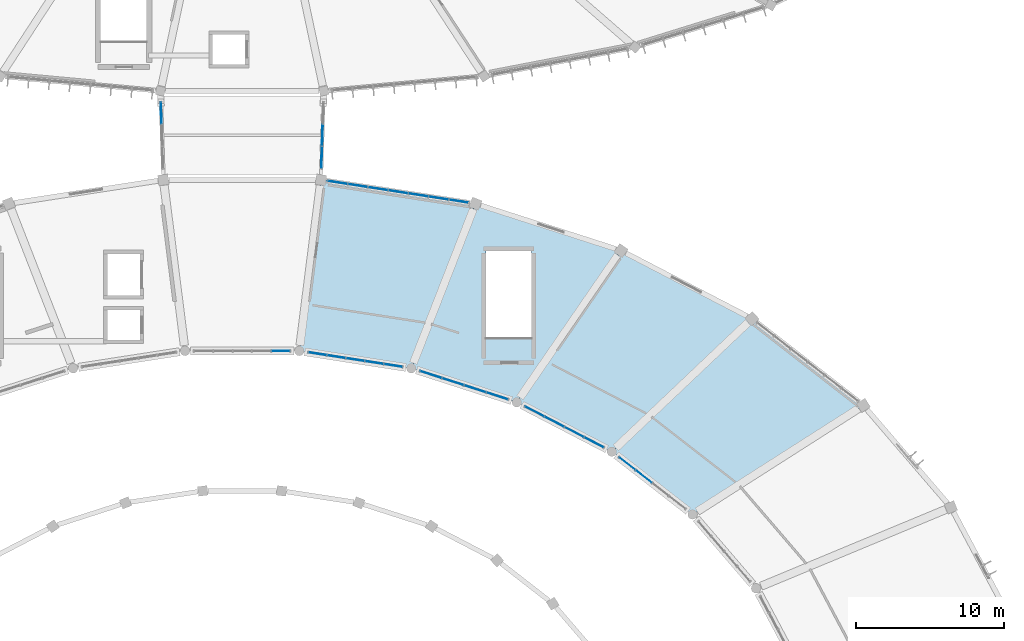
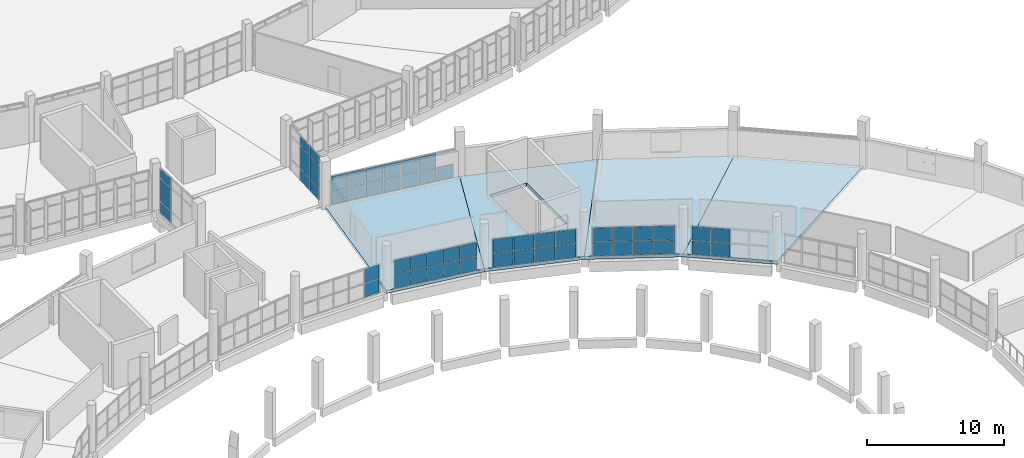
# One storey, part 82 of 142: 54 plates, 4 slabs, 8 elements without a shape of their own.
"""IFC4 building model written with IfcOpenShell, lengths in metres."""

from ifc_helpers import new_model, si_unit, direction, frame, origin, origin_2d, place, context, subcontext, project, spatial, polyline, rectangle, outline, extrude, material, layer, layer_set, type_object, element, aggregate, save


model = new_model("IFC4")

# Units and contexts
model_context = context("Model", 3, precision=1e-05, world=origin(), true_north=direction((0.0, 1.0)))
body_context = subcontext(model_context, "Body", "Model", "MODEL_VIEW")
ifc_project = project(units=[si_unit("LENGTHUNIT", "METRE"), si_unit("AREAUNIT", "SQUARE_METRE"), si_unit("VOLUMEUNIT", "CUBIC_METRE"), si_unit("PLANEANGLEUNIT", "RADIAN"), si_unit("MASSUNIT", "GRAM", prefix="KILO")], contexts=[model_context])

# Site, building, storey
site_placement = place(None, origin())
site = spatial("IfcSite", under=ifc_project, at=site_placement, CompositionType="ELEMENT")
building_placement = place(site_placement, origin())
building = spatial("IfcBuilding", under=site, at=building_placement, Name="Corvandel Quay Wholesale Market", CompositionType="ELEMENT")
storey_placement = place(building_placement, frame((0.0, 0.0, 10.800048828125)))
storey = spatial("IfcBuildingStorey", under=building, at=storey_placement, Name="L02", CompositionType="ELEMENT", Elevation=10.800048828125)

# Curtain wall, plate
ifc_material_1 = material(Name="Bronze anodised aluminium and low-E insulated glazing", Category="aluminium")
ifc_layer_1 = layer(ifc_material_1, 0.18603515625)
ifc_layer_set_1 = layer_set([ifc_layer_1], Name="Bronze anodised aluminium and low-E insulated glazing")
curtain_wall_type_1 = type_object("IfcCurtainWallType", Name="Stick Curtain Wall System CW23 H5070", PredefinedType="NOTDEFINED", material=ifc_layer_set_1)
curtain_wall_1_placement = place(storey_placement, origin())
curtain_wall_1 = element("IfcCurtainWall", 1, at=curtain_wall_1_placement, inside=storey, type_object=curtain_wall_type_1, Name="Curtain Wall CW-0170", PredefinedType="NOTDEFINED")
ifc_material_2 = material(Name="Solar-control low-E insulated glazing", Category="glass")
ifc_layer_2 = layer(ifc_material_2, 0.0400390625)
ifc_layer_set_2 = layer_set([ifc_layer_2], Name="Solar-control low-E insulated glazing")
plate_type_1 = type_object("IfcPlateType", Name="Ceramic Fritted Spandrel Panel PN03 40mm", PredefinedType="CURTAIN_PANEL", material=ifc_layer_set_2)
plate_1_placement = place(storey_placement, frame((108.532958984375, 88.510986328125, 3.1474609375), z_axis=(0.0, 0.0, 1.0), x_axis=(-0.032806302436, 0.999461728392, 0.0)))
plate_1 = element("IfcPlate", 2, at=plate_1_placement, type_object=plate_type_1, Name="Glazing Panel CW-0170-P02-2", PredefinedType="CURTAIN_PANEL", context=body_context, shape_type="SweptSolid", body=[
    extrude(rectangle(XDim=1.439453125, YDim=0.0400390625, at=origin_2d()), origin(), (0.0, 0.0, 1.0), 0.794921875),
])

# Curtain wall, plates
ifc_layer_3 = layer(ifc_material_1, 0.197998046875)
ifc_layer_set_3 = layer_set([ifc_layer_3], Name="Bronze anodised aluminium and low-E insulated glazing")
curtain_wall_type_2 = type_object("IfcCurtainWallType", Name="Stick Curtain Wall System CW24 H5160", PredefinedType="NOTDEFINED", material=ifc_layer_set_3)
curtain_wall_2_placement = place(storey_placement, origin())
curtain_wall_2 = element("IfcCurtainWall", 3, at=curtain_wall_2_placement, inside=storey, type_object=curtain_wall_type_2, Name="Curtain Wall CW-0171", PredefinedType="NOTDEFINED")
plate_2_placement = place(storey_placement, frame((119.36865234375, 85.513916015625, 3.1474609375), z_axis=(0.0, 0.0, 1.0), x_axis=(0.032806302436, 0.999461728392, 0.0)))
plate_2 = element("IfcPlate", 4, at=plate_2_placement, type_object=plate_type_1, Name="Glazing Panel CW-0171-P00-2", PredefinedType="CURTAIN_PANEL", context=body_context, shape_type="SweptSolid", body=[
    extrude(rectangle(XDim=1.439453125, YDim=0.0400390625, at=origin_2d()), origin(), (0.0, 0.0, 1.0), 0.794921875),
])
plate_3_placement = place(storey_placement, frame((119.41796875, 87.012451171875, 3.1474609375), z_axis=(0.0, 0.0, 1.0), x_axis=(0.032806302436, 0.999461728392, 0.0)))
plate_3 = element("IfcPlate", 5, at=plate_3_placement, type_object=plate_type_1, Name="Glazing Panel CW-0171-P01-2", PredefinedType="CURTAIN_PANEL", context=body_context, shape_type="SweptSolid", body=[
    extrude(rectangle(XDim=1.439453125, YDim=0.0400390625, at=origin_2d()), origin(), (0.0, 0.0, 1.0), 0.794921875),
])

# Slabs
ifc_material_3 = material(Name="Concrete C40/50", Category="concrete")
ifc_layer_4 = layer(ifc_material_3, 0.280029296875)
ifc_layer_set_4 = layer_set([ifc_layer_4], Name="Concrete C40/50")
slab_type = type_object("IfcSlabType", Name="Composite Sorting Gallery Floor Slab 280", PredefinedType="FLOOR", material=ifc_layer_set_4)
slab_1_placement = place(storey_placement, frame((0.0, 0.0, -0.280029296875)))
element("IfcSlab", 6, at=slab_1_placement, inside=storey, type_object=slab_type, Name="Slab SLB-0021", PredefinedType="FLOOR", context=body_context, shape_type="SweptSolid", body=[
    extrude(outline(polyline([(144.409912109375, 61.410888671875), (138.95703125, 65.652099609375), (148.423095703125, 74.6240234375), (155.945068359375, 68.77294921875), (144.409912109375, 61.410888671875)])), origin(), (0.0, 0.0, 1.0), 0.280029296875),
])
slab_2_placement = place(storey_placement, frame((0.0, 0.0, -0.280029296875)))
element("IfcSlab", 7, at=slab_2_placement, inside=storey, type_object=slab_type, Name="Slab SLB-0026", PredefinedType="FLOOR", context=body_context, shape_type="SweptSolid", body=[
    extrude(outline(polyline([(138.95703125, 65.652099609375), (132.5439453125, 68.98388671875), (139.5791015625, 79.219970703125), (148.423095703125, 74.6240234375), (138.95703125, 65.652099609375)])), origin(), (0.0, 0.0, 1.0), 0.280029296875),
])
slab_3_placement = place(storey_placement, frame((0.0, 0.0, -0.280029296875)))
element("IfcSlab", 8, at=slab_3_placement, inside=storey, type_object=slab_type, Name="Slab SLB-0031", PredefinedType="FLOOR", context=body_context, shape_type="SweptSolid", body=[
    extrude(outline(polyline([(132.5439453125, 68.98388671875), (125.419921875, 71.280029296875), (129.7509765625, 82.385986328125), (139.5791015625, 79.219970703125), (132.5439453125, 68.98388671875)]), holes=[polyline([(133.550048828125, 73.300048828125), (133.550048828125, 79.199951171875), (130.449951171875, 79.199951171875), (130.449951171875, 73.300048828125), (133.550048828125, 73.300048828125)])]), origin(), (0.0, 0.0, 1.0), 0.280029296875),
])
slab_4_placement = place(storey_placement, frame((0.0, 0.0, -0.280029296875)))
element("IfcSlab", 9, at=slab_4_placement, inside=storey, type_object=slab_type, Name="Slab SLB-0036", PredefinedType="FLOOR", context=body_context, shape_type="SweptSolid", body=[
    extrude(outline(polyline([(125.419921875, 71.280029296875), (117.85595703125, 72.449951171875), (119.319091796875, 84.0), (129.7509765625, 82.385986328125), (125.419921875, 71.280029296875)])), origin(), (0.0, 0.0, 1.0), 0.280029296875),
])

# Curtain wall, plates
ifc_layer_5 = layer(ifc_material_1, 0.14990234375)
ifc_layer_set_5 = layer_set([ifc_layer_5], Name="Bronze anodised aluminium and low-E insulated glazing")
curtain_wall_type_3 = type_object("IfcCurtainWallType", Name="Stick Curtain Wall System CW25 H5250", PredefinedType="NOTDEFINED", material=ifc_layer_set_5)
curtain_wall_3_placement = place(storey_placement, origin())
curtain_wall_3 = element("IfcCurtainWall", 10, at=curtain_wall_3_placement, inside=storey, type_object=curtain_wall_type_3, Name="Curtain Wall CW-0011", PredefinedType="NOTDEFINED")
ifc_layer_6 = layer(ifc_material_2, 0.028076171875)
ifc_layer_set_6 = layer_set([ifc_layer_6], Name="Solar-control low-E insulated glazing")
plate_type_2 = type_object("IfcPlateType", Name="Double Low-E Vision Panel PN01 28mm", PredefinedType="CURTAIN_PANEL", material=ifc_layer_set_6)
plate_4_placement = place(storey_placement, frame((141.120361328125, 63.969482421875, 0.02978515625), z_axis=(0.0, 0.0, 1.0), x_axis=(-0.789405615633, 0.613871952452, 0.0)))
plate_4 = element("IfcPlate", 11, at=plate_4_placement, type_object=plate_type_2, Name="Glazing Panel CW-0011-P02-0", PredefinedType="CURTAIN_PANEL", context=body_context, shape_type="SweptSolid", body=[
    extrude(rectangle(XDim=1.362060546875, YDim=0.028076171875, at=origin_2d()), origin(), (0.0, 0.0, 1.0), 1.215087890625),
])
plate_5_placement = place(storey_placement, frame((141.120361328125, 63.969482421875, 1.3046875), z_axis=(0.0, 0.0, 1.0), x_axis=(-0.789405615633, 0.613871952452, 0.0)))
plate_5 = element("IfcPlate", 12, at=plate_5_placement, type_object=plate_type_2, Name="Glazing Panel CW-0011-P02-1", PredefinedType="CURTAIN_PANEL", context=body_context, shape_type="SweptSolid", body=[
    extrude(rectangle(XDim=1.362060546875, YDim=0.028076171875, at=origin_2d()), origin(), (0.0, 0.0, 1.0), 1.215087890625),
])
plate_6_placement = place(storey_placement, frame((139.993896484375, 64.845703125, 0.02978515625), z_axis=(0.0, 0.0, 1.0), x_axis=(-0.789405615633, 0.613871952452, 0.0)))
plate_6 = element("IfcPlate", 13, at=plate_6_placement, type_object=plate_type_2, Name="Glazing Panel CW-0011-P03-0", PredefinedType="CURTAIN_PANEL", context=body_context, shape_type="SweptSolid", body=[
    extrude(rectangle(XDim=1.362060546875, YDim=0.028076171875, at=origin_2d()), origin(), (0.0, 0.0, 1.0), 1.215087890625),
])
plate_7_placement = place(storey_placement, frame((139.993896484375, 64.845703125, 1.3046875), z_axis=(0.0, 0.0, 1.0), x_axis=(-0.789405615633, 0.613871952452, 0.0)))
plate_7 = element("IfcPlate", 14, at=plate_7_placement, type_object=plate_type_2, Name="Glazing Panel CW-0011-P03-1", PredefinedType="CURTAIN_PANEL", context=body_context, shape_type="SweptSolid", body=[
    extrude(rectangle(XDim=1.362060546875, YDim=0.028076171875, at=origin_2d()), origin(), (0.0, 0.0, 1.0), 1.215087890625),
])
aggregate(curtain_wall_3, [plate_4, plate_5, plate_6, plate_7])

ifc_layer_7 = layer(ifc_material_1, 0.162109375)
ifc_layer_set_7 = layer_set([ifc_layer_7], Name="Bronze anodised aluminium and low-E insulated glazing")
curtain_wall_type_4 = type_object("IfcCurtainWallType", Name="Stick Curtain Wall System CW26 H5340", PredefinedType="NOTDEFINED", material=ifc_layer_set_7)
curtain_wall_4_placement = place(storey_placement, origin())
curtain_wall_4 = element("IfcCurtainWall", 15, at=curtain_wall_4_placement, inside=storey, type_object=curtain_wall_type_4, Name="Curtain Wall CW-0015", PredefinedType="NOTDEFINED")
plate_8_placement = place(storey_placement, frame((137.756103515625, 66.27587890625, 0.02978515625), z_axis=(0.0, 0.0, 1.0), x_axis=(-0.887332978338, 0.461129250378, 0.0)))
plate_8 = element("IfcPlate", 16, at=plate_8_placement, type_object=plate_type_2, Name="Glazing Panel CW-0015-P00-0", PredefinedType="CURTAIN_PANEL", context=body_context, shape_type="SweptSolid", body=[
    extrude(rectangle(XDim=1.44189453125, YDim=0.028076171875, at=origin_2d()), origin(), (0.0, 0.0, 1.0), 1.215087890625),
])
plate_9_placement = place(storey_placement, frame((137.756103515625, 66.27587890625, 1.3046875), z_axis=(0.0, 0.0, 1.0), x_axis=(-0.887332978338, 0.461129250378, 0.0)))
plate_9 = element("IfcPlate", 17, at=plate_9_placement, type_object=plate_type_2, Name="Glazing Panel CW-0015-P00-1", PredefinedType="CURTAIN_PANEL", context=body_context, shape_type="SweptSolid", body=[
    extrude(rectangle(XDim=1.44189453125, YDim=0.028076171875, at=origin_2d()), origin(), (0.0, 0.0, 1.0), 1.215087890625),
])
plate_10_placement = place(storey_placement, frame((136.4189453125, 66.970703125, 0.02978515625), z_axis=(0.0, 0.0, 1.0), x_axis=(-0.887332978338, 0.461129250378, 0.0)))
plate_10 = element("IfcPlate", 18, at=plate_10_placement, type_object=plate_type_2, Name="Glazing Panel CW-0015-P01-0", PredefinedType="CURTAIN_PANEL", context=body_context, shape_type="SweptSolid", body=[
    extrude(rectangle(XDim=1.44189453125, YDim=0.028076171875, at=origin_2d()), origin(), (0.0, 0.0, 1.0), 1.215087890625),
])
plate_11_placement = place(storey_placement, frame((136.4189453125, 66.970703125, 1.3046875), z_axis=(0.0, 0.0, 1.0), x_axis=(-0.887332978338, 0.461129250378, 0.0)))
plate_11 = element("IfcPlate", 19, at=plate_11_placement, type_object=plate_type_2, Name="Glazing Panel CW-0015-P01-1", PredefinedType="CURTAIN_PANEL", context=body_context, shape_type="SweptSolid", body=[
    extrude(rectangle(XDim=1.44189453125, YDim=0.028076171875, at=origin_2d()), origin(), (0.0, 0.0, 1.0), 1.215087890625),
])
plate_12_placement = place(storey_placement, frame((135.08203125, 67.665283203125, 0.02978515625), z_axis=(0.0, 0.0, 1.0), x_axis=(-0.887332978338, 0.461129250378, 0.0)))
plate_12 = element("IfcPlate", 20, at=plate_12_placement, type_object=plate_type_2, Name="Glazing Panel CW-0015-P02-0", PredefinedType="CURTAIN_PANEL", context=body_context, shape_type="SweptSolid", body=[
    extrude(rectangle(XDim=1.44189453125, YDim=0.028076171875, at=origin_2d()), origin(), (0.0, 0.0, 1.0), 1.215087890625),
])
plate_13_placement = place(storey_placement, frame((135.08203125, 67.665283203125, 1.3046875), z_axis=(0.0, 0.0, 1.0), x_axis=(-0.887332978338, 0.461129250378, 0.0)))
plate_13 = element("IfcPlate", 21, at=plate_13_placement, type_object=plate_type_2, Name="Glazing Panel CW-0015-P02-1", PredefinedType="CURTAIN_PANEL", context=body_context, shape_type="SweptSolid", body=[
    extrude(rectangle(XDim=1.44189453125, YDim=0.028076171875, at=origin_2d()), origin(), (0.0, 0.0, 1.0), 1.215087890625),
])
plate_14_placement = place(storey_placement, frame((133.744873046875, 68.360107421875, 0.02978515625), z_axis=(0.0, 0.0, 1.0), x_axis=(-0.887332978338, 0.461129250378, 0.0)))
plate_14 = element("IfcPlate", 22, at=plate_14_placement, type_object=plate_type_2, Name="Glazing Panel CW-0015-P03-0", PredefinedType="CURTAIN_PANEL", context=body_context, shape_type="SweptSolid", body=[
    extrude(rectangle(XDim=1.44189453125, YDim=0.028076171875, at=origin_2d()), origin(), (0.0, 0.0, 1.0), 1.215087890625),
])
plate_15_placement = place(storey_placement, frame((133.744873046875, 68.360107421875, 1.3046875), z_axis=(0.0, 0.0, 1.0), x_axis=(-0.887332978338, 0.461129250378, 0.0)))
plate_15 = element("IfcPlate", 23, at=plate_15_placement, type_object=plate_type_2, Name="Glazing Panel CW-0015-P03-1", PredefinedType="CURTAIN_PANEL", context=body_context, shape_type="SweptSolid", body=[
    extrude(rectangle(XDim=1.44189453125, YDim=0.028076171875, at=origin_2d()), origin(), (0.0, 0.0, 1.0), 1.215087890625),
])
aggregate(curtain_wall_4, [plate_8, plate_9, plate_10, plate_11, plate_12, plate_13, plate_14, plate_15])

ifc_layer_8 = layer(ifc_material_1, 0.174072265625)
ifc_layer_set_8 = layer_set([ifc_layer_8], Name="Bronze anodised aluminium and low-E insulated glazing")
curtain_wall_type_5 = type_object("IfcCurtainWallType", Name="Stick Curtain Wall System CW27 H5430", PredefinedType="NOTDEFINED", material=ifc_layer_set_8)
curtain_wall_5_placement = place(storey_placement, origin())
curtain_wall_5 = element("IfcCurtainWall", 24, at=curtain_wall_5_placement, inside=storey, type_object=curtain_wall_type_5, Name="Curtain Wall CW-0017", PredefinedType="NOTDEFINED")
plate_16_placement = place(storey_placement, frame((131.22509765625, 69.408935546875, 0.02978515625), z_axis=(0.0, 0.0, 1.0), x_axis=(-0.951808747363, 0.306692204733, 0.0)))
plate_16 = element("IfcPlate", 25, at=plate_16_placement, type_object=plate_type_2, Name="Glazing Panel CW-0017-P00-0", PredefinedType="CURTAIN_PANEL", context=body_context, shape_type="SweptSolid", body=[
    extrude(rectangle(XDim=1.506103515625, YDim=0.028076171875, at=origin_2d()), origin(), (0.0, 0.0, 1.0), 1.215087890625),
])
plate_17_placement = place(storey_placement, frame((131.22509765625, 69.408935546875, 1.3046875), z_axis=(0.0, 0.0, 1.0), x_axis=(-0.951808747363, 0.306692204733, 0.0)))
plate_17 = element("IfcPlate", 26, at=plate_17_placement, type_object=plate_type_2, Name="Glazing Panel CW-0017-P00-1", PredefinedType="CURTAIN_PANEL", context=body_context, shape_type="SweptSolid", body=[
    extrude(rectangle(XDim=1.506103515625, YDim=0.028076171875, at=origin_2d()), origin(), (0.0, 0.0, 1.0), 1.215087890625),
])
plate_18_placement = place(storey_placement, frame((129.729736328125, 69.89111328125, 0.02978515625), z_axis=(0.0, 0.0, 1.0), x_axis=(-0.951808747363, 0.306692204733, 0.0)))
plate_18 = element("IfcPlate", 27, at=plate_18_placement, type_object=plate_type_2, Name="Glazing Panel CW-0017-P01-0", PredefinedType="CURTAIN_PANEL", context=body_context, shape_type="SweptSolid", body=[
    extrude(rectangle(XDim=1.506103515625, YDim=0.028076171875, at=origin_2d()), origin(), (0.0, 0.0, 1.0), 1.215087890625),
])
plate_19_placement = place(storey_placement, frame((129.729736328125, 69.89111328125, 1.3046875), z_axis=(0.0, 0.0, 1.0), x_axis=(-0.951808747363, 0.306692204733, 0.0)))
plate_19 = element("IfcPlate", 28, at=plate_19_placement, type_object=plate_type_2, Name="Glazing Panel CW-0017-P01-1", PredefinedType="CURTAIN_PANEL", context=body_context, shape_type="SweptSolid", body=[
    extrude(rectangle(XDim=1.506103515625, YDim=0.028076171875, at=origin_2d()), origin(), (0.0, 0.0, 1.0), 1.215087890625),
])
plate_20_placement = place(storey_placement, frame((128.234375, 70.373046875, 0.02978515625), z_axis=(0.0, 0.0, 1.0), x_axis=(-0.951808747363, 0.306692204733, 0.0)))
plate_20 = element("IfcPlate", 29, at=plate_20_placement, type_object=plate_type_2, Name="Glazing Panel CW-0017-P02-0", PredefinedType="CURTAIN_PANEL", context=body_context, shape_type="SweptSolid", body=[
    extrude(rectangle(XDim=1.506103515625, YDim=0.028076171875, at=origin_2d()), origin(), (0.0, 0.0, 1.0), 1.215087890625),
])
plate_21_placement = place(storey_placement, frame((128.234375, 70.373046875, 1.3046875), z_axis=(0.0, 0.0, 1.0), x_axis=(-0.951808747363, 0.306692204733, 0.0)))
plate_21 = element("IfcPlate", 30, at=plate_21_placement, type_object=plate_type_2, Name="Glazing Panel CW-0017-P02-1", PredefinedType="CURTAIN_PANEL", context=body_context, shape_type="SweptSolid", body=[
    extrude(rectangle(XDim=1.506103515625, YDim=0.028076171875, at=origin_2d()), origin(), (0.0, 0.0, 1.0), 1.215087890625),
])
plate_22_placement = place(storey_placement, frame((126.73876953125, 70.85498046875, 0.02978515625), z_axis=(0.0, 0.0, 1.0), x_axis=(-0.951808747363, 0.306692204733, 0.0)))
plate_22 = element("IfcPlate", 31, at=plate_22_placement, type_object=plate_type_2, Name="Glazing Panel CW-0017-P03-0", PredefinedType="CURTAIN_PANEL", context=body_context, shape_type="SweptSolid", body=[
    extrude(rectangle(XDim=1.506103515625, YDim=0.028076171875, at=origin_2d()), origin(), (0.0, 0.0, 1.0), 1.215087890625),
])
plate_23_placement = place(storey_placement, frame((126.73876953125, 70.85498046875, 1.3046875), z_axis=(0.0, 0.0, 1.0), x_axis=(-0.951808747363, 0.306692204733, 0.0)))
plate_23 = element("IfcPlate", 32, at=plate_23_placement, type_object=plate_type_2, Name="Glazing Panel CW-0017-P03-1", PredefinedType="CURTAIN_PANEL", context=body_context, shape_type="SweptSolid", body=[
    extrude(rectangle(XDim=1.506103515625, YDim=0.028076171875, at=origin_2d()), origin(), (0.0, 0.0, 1.0), 1.215087890625),
])
aggregate(curtain_wall_5, [plate_16, plate_17, plate_18, plate_19, plate_20, plate_21, plate_22, plate_23])

ifc_layer_9 = layer(ifc_material_1, 0.14990234375)
ifc_layer_set_9 = layer_set([ifc_layer_9], Name="Bronze anodised aluminium and low-E insulated glazing")
curtain_wall_type_6 = type_object("IfcCurtainWallType", Name="Stick Curtain Wall System CW15 H4350", PredefinedType="NOTDEFINED", material=ifc_layer_set_9)
curtain_wall_6_placement = place(storey_placement, origin())
curtain_wall_6 = element("IfcCurtainWall", 33, at=curtain_wall_6_placement, inside=storey, type_object=curtain_wall_type_6, Name="Curtain Wall CW-0019", PredefinedType="NOTDEFINED")
plate_24_placement = place(storey_placement, frame((128.624755859375, 82.560302734375, 0.02978515625), z_axis=(0.0, 0.0, 1.0), x_axis=(-0.98825506746, 0.152813355565, 0.0)))
plate_24 = element("IfcPlate", 34, at=plate_24_placement, type_object=plate_type_2, Name="Glazing Panel CW-0019-P00-0", PredefinedType="CURTAIN_PANEL", context=body_context, shape_type="SweptSolid", body=[
    extrude(rectangle(XDim=1.314453125, YDim=0.028076171875, at=origin_2d()), origin(), (0.0, 0.0, 1.0), 1.215087890625),
])
plate_25_placement = place(storey_placement, frame((127.261474609375, 82.771240234375, 0.02978515625), z_axis=(0.0, 0.0, 1.0), x_axis=(-0.98825506746, 0.152813355565, 0.0)))
plate_25 = element("IfcPlate", 35, at=plate_25_placement, type_object=plate_type_2, Name="Glazing Panel CW-0019-P01-0", PredefinedType="CURTAIN_PANEL", context=body_context, shape_type="SweptSolid", body=[
    extrude(rectangle(XDim=1.314453125, YDim=0.028076171875, at=origin_2d()), origin(), (0.0, 0.0, 1.0), 1.215087890625),
])
plate_26_placement = place(storey_placement, frame((127.261474609375, 82.771240234375, 1.3046875), z_axis=(0.0, 0.0, 1.0), x_axis=(-0.98825506746, 0.152813355565, 0.0)))
plate_26 = element("IfcPlate", 36, at=plate_26_placement, type_object=plate_type_2, Name="Glazing Panel CW-0019-P01-1", PredefinedType="CURTAIN_PANEL", context=body_context, shape_type="SweptSolid", body=[
    extrude(rectangle(XDim=1.314453125, YDim=0.028076171875, at=origin_2d()), origin(), (0.0, 0.0, 1.0), 1.215087890625),
])
plate_27_placement = place(storey_placement, frame((125.898193359375, 82.982177734375, 0.02978515625), z_axis=(0.0, 0.0, 1.0), x_axis=(-0.98825506746, 0.152813355565, 0.0)))
plate_27 = element("IfcPlate", 37, at=plate_27_placement, type_object=plate_type_2, Name="Glazing Panel CW-0019-P02-0", PredefinedType="CURTAIN_PANEL", context=body_context, shape_type="SweptSolid", body=[
    extrude(rectangle(XDim=1.314453125, YDim=0.028076171875, at=origin_2d()), origin(), (0.0, 0.0, 1.0), 1.215087890625),
])
plate_28_placement = place(storey_placement, frame((125.898193359375, 82.982177734375, 1.3046875), z_axis=(0.0, 0.0, 1.0), x_axis=(-0.98825506746, 0.152813355565, 0.0)))
plate_28 = element("IfcPlate", 38, at=plate_28_placement, type_object=plate_type_2, Name="Glazing Panel CW-0019-P02-1", PredefinedType="CURTAIN_PANEL", context=body_context, shape_type="SweptSolid", body=[
    extrude(rectangle(XDim=1.314453125, YDim=0.028076171875, at=origin_2d()), origin(), (0.0, 0.0, 1.0), 1.215087890625),
])
plate_29_placement = place(storey_placement, frame((124.534912109375, 83.193115234375, 0.02978515625), z_axis=(0.0, 0.0, 1.0), x_axis=(-0.98825506746, 0.152813355565, 0.0)))
plate_29 = element("IfcPlate", 39, at=plate_29_placement, type_object=plate_type_2, Name="Glazing Panel CW-0019-P03-0", PredefinedType="CURTAIN_PANEL", context=body_context, shape_type="SweptSolid", body=[
    extrude(rectangle(XDim=1.314453125, YDim=0.028076171875, at=origin_2d()), origin(), (0.0, 0.0, 1.0), 1.215087890625),
])
plate_30_placement = place(storey_placement, frame((124.534912109375, 83.193115234375, 1.3046875), z_axis=(0.0, 0.0, 1.0), x_axis=(-0.98825506746, 0.152813355565, 0.0)))
plate_30 = element("IfcPlate", 40, at=plate_30_placement, type_object=plate_type_2, Name="Glazing Panel CW-0019-P03-1", PredefinedType="CURTAIN_PANEL", context=body_context, shape_type="SweptSolid", body=[
    extrude(rectangle(XDim=1.314453125, YDim=0.028076171875, at=origin_2d()), origin(), (0.0, 0.0, 1.0), 1.215087890625),
])
plate_31_placement = place(storey_placement, frame((123.171875, 83.40380859375, 0.02978515625), z_axis=(0.0, 0.0, 1.0), x_axis=(-0.98825506746, 0.152813355565, 0.0)))
plate_31 = element("IfcPlate", 41, at=plate_31_placement, type_object=plate_type_2, Name="Glazing Panel CW-0019-P04-0", PredefinedType="CURTAIN_PANEL", context=body_context, shape_type="SweptSolid", body=[
    extrude(rectangle(XDim=1.314453125, YDim=0.028076171875, at=origin_2d()), origin(), (0.0, 0.0, 1.0), 1.215087890625),
])
plate_32_placement = place(storey_placement, frame((123.171875, 83.40380859375, 1.3046875), z_axis=(0.0, 0.0, 1.0), x_axis=(-0.98825506746, 0.152813355565, 0.0)))
plate_32 = element("IfcPlate", 42, at=plate_32_placement, type_object=plate_type_2, Name="Glazing Panel CW-0019-P04-1", PredefinedType="CURTAIN_PANEL", context=body_context, shape_type="SweptSolid", body=[
    extrude(rectangle(XDim=1.314453125, YDim=0.028076171875, at=origin_2d()), origin(), (0.0, 0.0, 1.0), 1.215087890625),
])
plate_33_placement = place(storey_placement, frame((121.80859375, 83.61474609375, 0.02978515625), z_axis=(0.0, 0.0, 1.0), x_axis=(-0.98825506746, 0.152813355565, 0.0)))
plate_33 = element("IfcPlate", 43, at=plate_33_placement, type_object=plate_type_2, Name="Glazing Panel CW-0019-P05-0", PredefinedType="CURTAIN_PANEL", context=body_context, shape_type="SweptSolid", body=[
    extrude(rectangle(XDim=1.314453125, YDim=0.028076171875, at=origin_2d()), origin(), (0.0, 0.0, 1.0), 1.215087890625),
])
plate_34_placement = place(storey_placement, frame((121.80859375, 83.61474609375, 1.3046875), z_axis=(0.0, 0.0, 1.0), x_axis=(-0.98825506746, 0.152813355565, 0.0)))
plate_34 = element("IfcPlate", 44, at=plate_34_placement, type_object=plate_type_2, Name="Glazing Panel CW-0019-P05-1", PredefinedType="CURTAIN_PANEL", context=body_context, shape_type="SweptSolid", body=[
    extrude(rectangle(XDim=1.314453125, YDim=0.028076171875, at=origin_2d()), origin(), (0.0, 0.0, 1.0), 1.215087890625),
])
plate_35_placement = place(storey_placement, frame((120.4453125, 83.82568359375, 0.02978515625), z_axis=(0.0, 0.0, 1.0), x_axis=(-0.98825506746, 0.152813355565, 0.0)))
plate_35 = element("IfcPlate", 45, at=plate_35_placement, type_object=plate_type_2, Name="Glazing Panel CW-0019-P06-0", PredefinedType="CURTAIN_PANEL", context=body_context, shape_type="SweptSolid", body=[
    extrude(rectangle(XDim=1.314453125, YDim=0.028076171875, at=origin_2d()), origin(), (0.0, 0.0, 1.0), 1.215087890625),
])
plate_36_placement = place(storey_placement, frame((120.4453125, 83.82568359375, 1.3046875), z_axis=(0.0, 0.0, 1.0), x_axis=(-0.98825506746, 0.152813355565, 0.0)))
plate_36 = element("IfcPlate", 46, at=plate_36_placement, type_object=plate_type_2, Name="Glazing Panel CW-0019-P06-1", PredefinedType="CURTAIN_PANEL", context=body_context, shape_type="SweptSolid", body=[
    extrude(rectangle(XDim=1.314453125, YDim=0.028076171875, at=origin_2d()), origin(), (0.0, 0.0, 1.0), 1.215087890625),
])
aggregate(curtain_wall_6, [plate_24, plate_25, plate_26, plate_27, plate_28, plate_29, plate_30, plate_31, plate_32, plate_33, plate_34, plate_35, plate_36])

ifc_layer_10 = layer(ifc_material_1, 0.18603515625)
ifc_layer_set_10 = layer_set([ifc_layer_10], Name="Bronze anodised aluminium and low-E insulated glazing")
curtain_wall_type_7 = type_object("IfcCurtainWallType", Name="Stick Curtain Wall System CW28 H5520", PredefinedType="NOTDEFINED", material=ifc_layer_set_10)
curtain_wall_7_placement = place(storey_placement, origin())
curtain_wall_7 = element("IfcCurtainWall", 47, at=curtain_wall_7_placement, inside=storey, type_object=curtain_wall_type_7, Name="Curtain Wall CW-0021", PredefinedType="NOTDEFINED")
plate_37_placement = place(storey_placement, frame((124.189208984375, 71.470458984375, 0.02978515625), z_axis=(0.0, 0.0, 1.0), x_axis=(-0.98825506746, 0.152813355565, 0.0)))
plate_37 = element("IfcPlate", 48, at=plate_37_placement, type_object=plate_type_2, Name="Glazing Panel CW-0021-P00-0", PredefinedType="CURTAIN_PANEL", context=body_context, shape_type="SweptSolid", body=[
    extrude(rectangle(XDim=1.225830078125, YDim=0.028076171875, at=origin_2d()), origin(), (0.0, 0.0, 1.0), 1.215087890625),
])
plate_38_placement = place(storey_placement, frame((124.189208984375, 71.470458984375, 1.3046875), z_axis=(0.0, 0.0, 1.0), x_axis=(-0.98825506746, 0.152813355565, 0.0)))
plate_38 = element("IfcPlate", 49, at=plate_38_placement, type_object=plate_type_2, Name="Glazing Panel CW-0021-P00-1", PredefinedType="CURTAIN_PANEL", context=body_context, shape_type="SweptSolid", body=[
    extrude(rectangle(XDim=1.225830078125, YDim=0.028076171875, at=origin_2d()), origin(), (0.0, 0.0, 1.0), 1.215087890625),
])
plate_39_placement = place(storey_placement, frame((122.91357421875, 71.667724609375, 0.02978515625), z_axis=(0.0, 0.0, 1.0), x_axis=(-0.98825506746, 0.152813355565, 0.0)))
plate_39 = element("IfcPlate", 50, at=plate_39_placement, type_object=plate_type_2, Name="Glazing Panel CW-0021-P01-0", PredefinedType="CURTAIN_PANEL", context=body_context, shape_type="SweptSolid", body=[
    extrude(rectangle(XDim=1.225830078125, YDim=0.028076171875, at=origin_2d()), origin(), (0.0, 0.0, 1.0), 1.215087890625),
])
plate_40_placement = place(storey_placement, frame((122.91357421875, 71.667724609375, 1.3046875), z_axis=(0.0, 0.0, 1.0), x_axis=(-0.98825506746, 0.152813355565, 0.0)))
plate_40 = element("IfcPlate", 51, at=plate_40_placement, type_object=plate_type_2, Name="Glazing Panel CW-0021-P01-1", PredefinedType="CURTAIN_PANEL", context=body_context, shape_type="SweptSolid", body=[
    extrude(rectangle(XDim=1.225830078125, YDim=0.028076171875, at=origin_2d()), origin(), (0.0, 0.0, 1.0), 1.215087890625),
])
plate_41_placement = place(storey_placement, frame((121.637939453125, 71.864990234375, 0.02978515625), z_axis=(0.0, 0.0, 1.0), x_axis=(-0.98825506746, 0.152813355565, 0.0)))
plate_41 = element("IfcPlate", 52, at=plate_41_placement, type_object=plate_type_2, Name="Glazing Panel CW-0021-P02-0", PredefinedType="CURTAIN_PANEL", context=body_context, shape_type="SweptSolid", body=[
    extrude(rectangle(XDim=1.225830078125, YDim=0.028076171875, at=origin_2d()), origin(), (0.0, 0.0, 1.0), 1.215087890625),
])
plate_42_placement = place(storey_placement, frame((121.637939453125, 71.864990234375, 1.3046875), z_axis=(0.0, 0.0, 1.0), x_axis=(-0.98825506746, 0.152813355565, 0.0)))
plate_42 = element("IfcPlate", 53, at=plate_42_placement, type_object=plate_type_2, Name="Glazing Panel CW-0021-P02-1", PredefinedType="CURTAIN_PANEL", context=body_context, shape_type="SweptSolid", body=[
    extrude(rectangle(XDim=1.225830078125, YDim=0.028076171875, at=origin_2d()), origin(), (0.0, 0.0, 1.0), 1.215087890625),
])
plate_43_placement = place(storey_placement, frame((120.3623046875, 72.062255859375, 0.02978515625), z_axis=(0.0, 0.0, 1.0), x_axis=(-0.98825506746, 0.152813355565, 0.0)))
plate_43 = element("IfcPlate", 54, at=plate_43_placement, type_object=plate_type_2, Name="Glazing Panel CW-0021-P03-0", PredefinedType="CURTAIN_PANEL", context=body_context, shape_type="SweptSolid", body=[
    extrude(rectangle(XDim=1.225830078125, YDim=0.028076171875, at=origin_2d()), origin(), (0.0, 0.0, 1.0), 1.215087890625),
])
plate_44_placement = place(storey_placement, frame((120.3623046875, 72.062255859375, 1.3046875), z_axis=(0.0, 0.0, 1.0), x_axis=(-0.98825506746, 0.152813355565, 0.0)))
plate_44 = element("IfcPlate", 55, at=plate_44_placement, type_object=plate_type_2, Name="Glazing Panel CW-0021-P03-1", PredefinedType="CURTAIN_PANEL", context=body_context, shape_type="SweptSolid", body=[
    extrude(rectangle(XDim=1.225830078125, YDim=0.028076171875, at=origin_2d()), origin(), (0.0, 0.0, 1.0), 1.215087890625),
])
plate_45_placement = place(storey_placement, frame((119.0869140625, 72.259521484375, 0.02978515625), z_axis=(0.0, 0.0, 1.0), x_axis=(-0.98825506746, 0.152813355565, 0.0)))
plate_45 = element("IfcPlate", 56, at=plate_45_placement, type_object=plate_type_2, Name="Glazing Panel CW-0021-P04-0", PredefinedType="CURTAIN_PANEL", context=body_context, shape_type="SweptSolid", body=[
    extrude(rectangle(XDim=1.225830078125, YDim=0.028076171875, at=origin_2d()), origin(), (0.0, 0.0, 1.0), 1.215087890625),
])
plate_46_placement = place(storey_placement, frame((119.0869140625, 72.259521484375, 1.3046875), z_axis=(0.0, 0.0, 1.0), x_axis=(-0.98825506746, 0.152813355565, 0.0)))
plate_46 = element("IfcPlate", 57, at=plate_46_placement, type_object=plate_type_2, Name="Glazing Panel CW-0021-P04-1", PredefinedType="CURTAIN_PANEL", context=body_context, shape_type="SweptSolid", body=[
    extrude(rectangle(XDim=1.225830078125, YDim=0.028076171875, at=origin_2d()), origin(), (0.0, 0.0, 1.0), 1.215087890625),
])
aggregate(curtain_wall_7, [plate_37, plate_38, plate_39, plate_40, plate_41, plate_42, plate_43, plate_44, plate_45, plate_46])

ifc_layer_11 = layer(ifc_material_1, 0.162109375)
ifc_layer_set_11 = layer_set([ifc_layer_11], Name="Bronze anodised aluminium and low-E insulated glazing")
curtain_wall_type_8 = type_object("IfcCurtainWallType", Name="Stick Curtain Wall System CW01 H3090", PredefinedType="NOTDEFINED", material=ifc_layer_set_11)
curtain_wall_8_placement = place(storey_placement, origin())
curtain_wall_8 = element("IfcCurtainWall", 58, at=curtain_wall_8_placement, inside=storey, type_object=curtain_wall_type_8, Name="Curtain Wall CW-0023", PredefinedType="NOTDEFINED")
plate_47_placement = place(storey_placement, frame((116.604736328125, 72.449951171875, 0.02978515625), z_axis=(0.0, 0.0, 1.0), x_axis=(1.0, 0.0, 0.0)))
plate_47 = element("IfcPlate", 59, at=plate_47_placement, type_object=plate_type_2, Name="Glazing Panel CW-0023-P00-0", PredefinedType="CURTAIN_PANEL", context=body_context, shape_type="SweptSolid", body=[
    extrude(rectangle(XDim=1.2373046875, YDim=0.028076171875, at=origin_2d()), origin(), (0.0, 0.0, 1.0), 1.215087890625),
])
plate_48_placement = place(storey_placement, frame((116.604736328125, 72.449951171875, 1.3046875), z_axis=(0.0, 0.0, 1.0), x_axis=(1.0, 0.0, 0.0)))
plate_48 = element("IfcPlate", 60, at=plate_48_placement, type_object=plate_type_2, Name="Glazing Panel CW-0023-P00-1", PredefinedType="CURTAIN_PANEL", context=body_context, shape_type="SweptSolid", body=[
    extrude(rectangle(XDim=1.2373046875, YDim=0.028076171875, at=origin_2d()), origin(), (0.0, 0.0, 1.0), 1.215087890625),
])
aggregate(curtain_wall_8, [plate_47, plate_48])

# Plate
plate_49_placement = place(storey_placement, frame((108.532958984375, 88.510986328125, -0.002685546875), z_axis=(0.0, 0.0, 1.0), x_axis=(-0.032806302436, 0.999461728392, 0.0)))
plate_49 = element("IfcPlate", 61, at=plate_49_placement, type_object=plate_type_2, Name="Glazing Panel CW-0170-P02-0", PredefinedType="CURTAIN_PANEL", context=body_context, shape_type="SweptSolid", body=[
    extrude(rectangle(XDim=1.439453125, YDim=0.028076171875, at=origin_2d()), origin(), (0.0, 0.0, 1.0), 0.9951171875),
])

plate_50_placement = place(storey_placement, frame((108.532958984375, 88.510986328125, 1.047607421875), z_axis=(0.0, 0.0, 1.0), x_axis=(-0.032806302436, 0.999461728392, 0.0)))
plate_50 = element("IfcPlate", 62, at=plate_50_placement, type_object=plate_type_2, Name="Glazing Panel CW-0170-P02-1", PredefinedType="CURTAIN_PANEL", context=body_context, shape_type="SweptSolid", body=[
    extrude(rectangle(XDim=1.439453125, YDim=0.028076171875, at=origin_2d()), origin(), (0.0, 0.0, 1.0), 2.044921875),
])

aggregate(curtain_wall_1, [plate_49, plate_50, plate_1])

plate_51_placement = place(storey_placement, frame((119.36865234375, 85.513916015625, -0.002685546875), z_axis=(0.0, 0.0, 1.0), x_axis=(0.032806302436, 0.999461728392, 0.0)))
plate_51 = element("IfcPlate", 63, at=plate_51_placement, type_object=plate_type_2, Name="Glazing Panel CW-0171-P00-0", PredefinedType="CURTAIN_PANEL", context=body_context, shape_type="SweptSolid", body=[
    extrude(rectangle(XDim=1.439453125, YDim=0.028076171875, at=origin_2d()), origin(), (0.0, 0.0, 1.0), 0.9951171875),
])

plate_52_placement = place(storey_placement, frame((119.36865234375, 85.513916015625, 1.047607421875), z_axis=(0.0, 0.0, 1.0), x_axis=(0.032806302436, 0.999461728392, 0.0)))
plate_52 = element("IfcPlate", 64, at=plate_52_placement, type_object=plate_type_2, Name="Glazing Panel CW-0171-P00-1", PredefinedType="CURTAIN_PANEL", context=body_context, shape_type="SweptSolid", body=[
    extrude(rectangle(XDim=1.439453125, YDim=0.028076171875, at=origin_2d()), origin(), (0.0, 0.0, 1.0), 2.044921875),
])

plate_53_placement = place(storey_placement, frame((119.41796875, 87.012451171875, -0.002685546875), z_axis=(0.0, 0.0, 1.0), x_axis=(0.032806302436, 0.999461728392, 0.0)))
plate_53 = element("IfcPlate", 65, at=plate_53_placement, type_object=plate_type_2, Name="Glazing Panel CW-0171-P01-0", PredefinedType="CURTAIN_PANEL", context=body_context, shape_type="SweptSolid", body=[
    extrude(rectangle(XDim=1.439453125, YDim=0.028076171875, at=origin_2d()), origin(), (0.0, 0.0, 1.0), 0.9951171875),
])

plate_54_placement = place(storey_placement, frame((119.41796875, 87.012451171875, 1.047607421875), z_axis=(0.0, 0.0, 1.0), x_axis=(0.032806302436, 0.999461728392, 0.0)))
plate_54 = element("IfcPlate", 66, at=plate_54_placement, type_object=plate_type_2, Name="Glazing Panel CW-0171-P01-1", PredefinedType="CURTAIN_PANEL", context=body_context, shape_type="SweptSolid", body=[
    extrude(rectangle(XDim=1.439453125, YDim=0.028076171875, at=origin_2d()), origin(), (0.0, 0.0, 1.0), 2.044921875),
])

aggregate(curtain_wall_2, [plate_51, plate_52, plate_2, plate_53, plate_54, plate_3])

save(model, "model.ifc")
